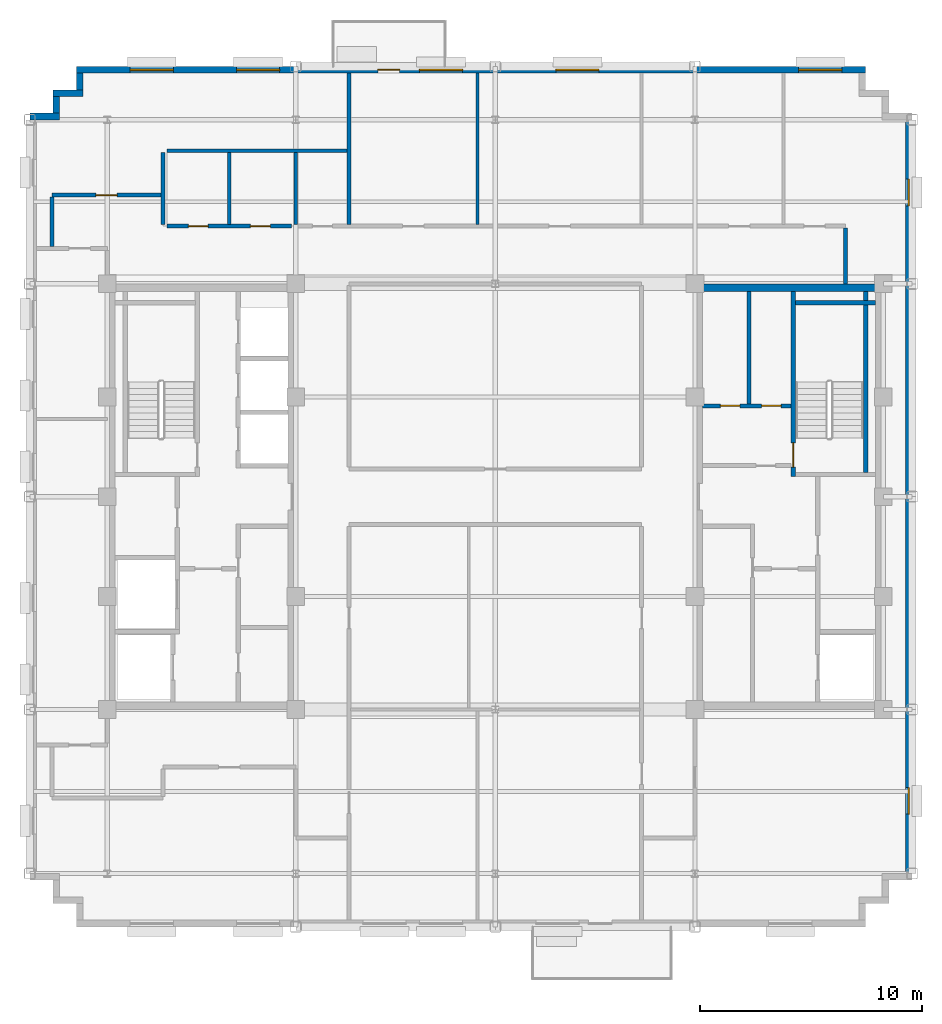
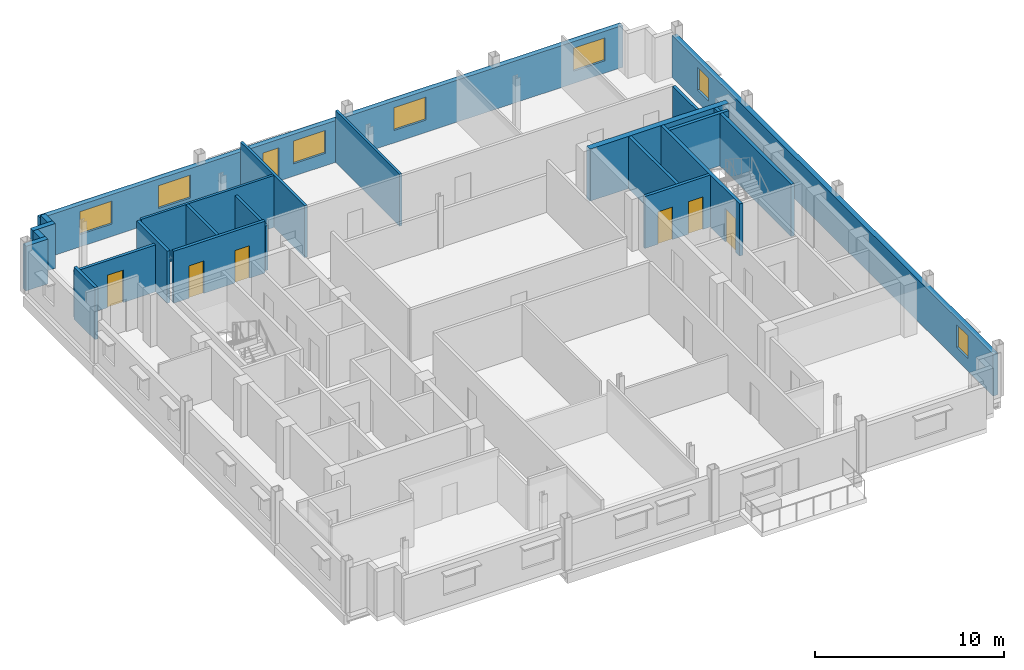
# One storey, part 8 of 13: 22 walls, 7 doors, 7 windows, 14 openings.
"""IFC4 building model written with IfcOpenShell, lengths in metres."""

from ifc_helpers import new_model, si_unit, direction, frame, frame_2d, origin, place, context, subcontext, project, spatial, rectangle, extrude, source, transform, mapped, material, layer, layer_set, type_object, type_shapes, element, fill, save


model = new_model("IFC4")

# Units and contexts
model_context = context("Model", 3, precision=1e-05, world=origin(), true_north=direction((0.0, 1.0)))
body_context = subcontext(model_context, "Body", "Model", "MODEL_VIEW")
ifc_project = project(units=[si_unit("LENGTHUNIT", "METRE"), si_unit("AREAUNIT", "SQUARE_METRE"), si_unit("VOLUMEUNIT", "CUBIC_METRE"), si_unit("PLANEANGLEUNIT", "RADIAN"), si_unit("MASSUNIT", "GRAM", prefix="KILO")], contexts=[model_context])

# Site, building, storey
site_placement = place(None, origin())
site = spatial("IfcSite", under=ifc_project, at=site_placement, CompositionType="ELEMENT")
building_placement = place(site_placement, origin())
building = spatial("IfcBuilding", under=site, at=building_placement, Name="Nuvemarco Arch Tower", CompositionType="ELEMENT")
storey_placement = place(building_placement, frame((0.0, 0.0, 261.60009765625)))
storey = spatial("IfcBuildingStorey", under=building, at=storey_placement, Name="L69", CompositionType="ELEMENT", Elevation=261.60009765625)

# Wall, openings, windows
ifc_material_1 = material(Name="Precast concrete C45/55", Category="concrete")
ifc_layer_1 = layer(ifc_material_1, 0.300048828125, Name="EW-HIGH-300")
ifc_layer_set_1 = layer_set([ifc_layer_1], Name="Precast concrete C45/55")
wall_type_1 = type_object("IfcWallType", Name="EW-HIGH-300", PredefinedType="STANDARD", material=ifc_layer_set_1)
wall_1_placement = place(storey_placement, frame((18.64990234375, -17.00390625, 0.0), z_axis=(0.0, 0.0, 1.0), x_axis=(0.0, 1.0, 0.0)))
wall_1 = element("IfcWall", 1, at=wall_1_placement, inside=storey, type_object=wall_type_1, Name="L69 exterior precast facade wall 6", PredefinedType="STANDARD", context=body_context, shape_type="SweptSolid", body=[
    extrude(rectangle(XDim=34.0078125, YDim=0.300048828125, at=frame_2d((17.00390625, 0.0))), origin(), (0.0, 0.0, 1.0), 2.704833984375),
])
opening_1_placement = place(wall_1_placement, frame((2.686279296875, 0.0, 0.800048828125)))
opening_1 = element("IfcOpeningElement", 2, at=opening_1_placement, cuts=wall_1, Name="Opening WN-8", PredefinedType="OPENING", context=body_context, shape_type="SweptSolid", body=[
    extrude(rectangle(XDim=1.199951171875, YDim=1.47998046875, at=frame_2d((0.60009765625, 0.739990234375))), frame((0.0, 0.159912109375, 0.0), z_axis=(0.0, -1.0, 0.0), x_axis=(1.0, 0.0, 0.0)), (0.0, 0.0, 1.0), 0.320068359375),
])
opening_2_placement = place(wall_1_placement, frame((30.12158203125, 0.0, 0.800048828125)))
opening_2 = element("IfcOpeningElement", 3, at=opening_2_placement, cuts=wall_1, Name="Opening WN-8", PredefinedType="OPENING", context=body_context, shape_type="SweptSolid", body=[
    extrude(rectangle(XDim=1.199951171875, YDim=1.47998046875, at=frame_2d((0.60009765625, 0.739990234375))), frame((0.0, 0.159912109375, 0.0), z_axis=(0.0, -1.0, 0.0), x_axis=(1.0, 0.0, 0.0)), (0.0, 0.0, 1.0), 0.320068359375),
])
ifc_material_2 = material(Name="Insulated solar-control glass", Category="glass")
window_type_1 = type_object("IfcWindowType", Name="WN-HIGH-1200x1480", PartitioningType="SINGLE_PANEL", PredefinedType="WINDOW", material=ifc_material_2)
shared_shape_1 = source(origin(), body_context, "Body", "SweptSolid", [
    extrude(rectangle(XDim=1.199951171875, YDim=1.47998046875, at=frame_2d((0.60009765625, 0.739990234375))), frame((0.0, 0.030029296875, 0.0), z_axis=(0.0, -1.0, 0.0), x_axis=(1.0, 0.0, 0.0)), (0.0, 0.0, 1.0), 0.06005859375),
])
type_shapes(window_type_1, [shared_shape_1])
window_1_placement = place(opening_1_placement, origin())
window_1 = element("IfcWindow", 4, at=window_1_placement, inside=storey, type_object=window_type_1, Name="L69 punched facade window 1", OverallHeight=1.47998046875, OverallWidth=1.199951171875, PartitioningType="SINGLE_PANEL", PredefinedType="WINDOW", context=body_context, shape_type="MappedRepresentation", body=[
    mapped(shared_shape_1, transform((0.0, 0.0, 0.0), scale=1.0)),
])
fill(opening_1, window_1)
window_2_placement = place(opening_2_placement, origin())
window_2 = element("IfcWindow", 5, at=window_2_placement, inside=storey, type_object=window_type_1, Name="L69 punched facade window 7", OverallHeight=1.47998046875, OverallWidth=1.199951171875, PartitioningType="SINGLE_PANEL", PredefinedType="WINDOW", context=body_context, shape_type="MappedRepresentation", body=[
    mapped(shared_shape_1, transform((0.0, 0.0, 0.0), scale=1.0)),
])
fill(opening_2, window_2)

# Wall, openings, door, windows
wall_2_placement = place(storey_placement, frame((-18.89990234375, 19.25, 0.0), z_axis=(0.0, 0.0, 1.0), x_axis=(1.0, 0.0, 0.0)))
wall_2 = element("IfcWall", 6, at=wall_2_placement, inside=storey, type_object=wall_type_1, Name="L69 exterior precast facade wall 11", PredefinedType="STANDARD", context=body_context, shape_type="SweptSolid", body=[
    extrude(rectangle(XDim=35.599853515625, YDim=0.300048828125, at=frame_2d((17.7998046875, 0.0))), origin(), (0.0, 0.0, 1.0), 2.704833984375),
])
opening_3_placement = place(wall_2_placement, frame((13.60009765625, 0.0, 0.0)))
opening_3 = element("IfcOpeningElement", 7, at=opening_3_placement, cuts=wall_2, Name="Opening ED-6", PredefinedType="OPENING", context=body_context, shape_type="SweptSolid", body=[
    extrude(rectangle(XDim=0.97998046875, YDim=2.14990234375, at=frame_2d((0.489990234375, 1.074951171875))), frame((0.0, 0.159912109375, 0.0), z_axis=(0.0, -1.0, 0.0), x_axis=(1.0, 0.0, 0.0)), (0.0, 0.0, 1.0), 0.320068359375),
])
opening_4_placement = place(wall_2_placement, frame((2.425048828125, 0.0, 0.800048828125)))
opening_4 = element("IfcOpeningElement", 8, at=opening_4_placement, cuts=wall_2, Name="Opening WN-7", PredefinedType="OPENING", context=body_context, shape_type="SweptSolid", body=[
    extrude(rectangle(XDim=1.949951171875, YDim=1.47998046875, at=frame_2d((0.97509765625, 0.739990234375))), frame((0.0, 0.159912109375, 0.0), z_axis=(0.0, -1.0, 0.0), x_axis=(1.0, 0.0, 0.0)), (0.0, 0.0, 1.0), 0.320068359375),
])
opening_5_placement = place(wall_2_placement, frame((7.22509765625, 0.0, 0.800048828125)))
opening_5 = element("IfcOpeningElement", 9, at=opening_5_placement, cuts=wall_2, Name="Opening WN-7", PredefinedType="OPENING", context=body_context, shape_type="SweptSolid", body=[
    extrude(rectangle(XDim=1.949951171875, YDim=1.47998046875, at=frame_2d((0.97509765625, 0.739990234375))), frame((0.0, 0.159912109375, 0.0), z_axis=(0.0, -1.0, 0.0), x_axis=(1.0, 0.0, 0.0)), (0.0, 0.0, 1.0), 0.320068359375),
])
opening_6_placement = place(wall_2_placement, frame((15.47509765625, 0.0, 0.800048828125)))
opening_6 = element("IfcOpeningElement", 10, at=opening_6_placement, cuts=wall_2, Name="Opening WN-7", PredefinedType="OPENING", context=body_context, shape_type="SweptSolid", body=[
    extrude(rectangle(XDim=1.949951171875, YDim=1.47998046875, at=frame_2d((0.97509765625, 0.739990234375))), frame((0.0, 0.159912109375, 0.0), z_axis=(0.0, -1.0, 0.0), x_axis=(1.0, 0.0, 0.0)), (0.0, 0.0, 1.0), 0.320068359375),
])
opening_7_placement = place(wall_2_placement, frame((21.625, 0.0, 0.800048828125)))
opening_7 = element("IfcOpeningElement", 11, at=opening_7_placement, cuts=wall_2, Name="Opening WN-7", PredefinedType="OPENING", context=body_context, shape_type="SweptSolid", body=[
    extrude(rectangle(XDim=1.949951171875, YDim=1.47998046875, at=frame_2d((0.97509765625, 0.739990234375))), frame((0.0, 0.159912109375, 0.0), z_axis=(0.0, -1.0, 0.0), x_axis=(1.0, 0.0, 0.0)), (0.0, 0.0, 1.0), 0.320068359375),
])
opening_8_placement = place(wall_2_placement, frame((32.574951171875, 0.0, 0.800048828125)))
opening_8 = element("IfcOpeningElement", 12, at=opening_8_placement, cuts=wall_2, Name="Opening WN-7", PredefinedType="OPENING", context=body_context, shape_type="SweptSolid", body=[
    extrude(rectangle(XDim=1.949951171875, YDim=1.47998046875, at=frame_2d((0.97509765625, 0.739990234375))), frame((0.0, 0.159912109375, 0.0), z_axis=(0.0, -1.0, 0.0), x_axis=(1.0, 0.0, 0.0)), (0.0, 0.0, 1.0), 0.320068359375),
])
ifc_material_3 = material(Name="Anodised bronze and laminated glass", Category="glass")
door_type_1 = type_object("IfcDoorType", Name="DR-EXT-BALC", OperationType="NOTDEFINED", PredefinedType="DOOR", material=ifc_material_3)
shared_shape_2 = source(origin(), body_context, "Body", "SweptSolid", [
    extrude(rectangle(XDim=0.97998046875, YDim=2.14990234375, at=frame_2d((0.489990234375, 1.074951171875))), frame((0.0, 0.02490234375, 0.0), z_axis=(0.0, -1.0, 0.0), x_axis=(1.0, 0.0, 0.0)), (0.0, 0.0, 1.0), 0.050048828125),
])
type_shapes(door_type_1, [shared_shape_2])
door_1_placement = place(opening_3_placement, origin())
door_1 = element("IfcDoor", 13, at=door_1_placement, inside=storey, type_object=door_type_1, Name="L69 tree balcony access door", OperationType="SINGLE_SWING_LEFT", OverallHeight=2.14990234375, OverallWidth=0.97998046875, PredefinedType="DOOR", context=body_context, shape_type="MappedRepresentation", body=[
    mapped(shared_shape_2, transform((0.0, 0.0, 0.0), scale=1.0)),
])
fill(opening_3, door_1)
window_type_2 = type_object("IfcWindowType", Name="WN-HIGH-1950x1480", PartitioningType="DOUBLE_PANEL_VERTICAL", PredefinedType="WINDOW", material=ifc_material_2)
shared_shape_3 = source(origin(), body_context, "Body", "SweptSolid", [
    extrude(rectangle(XDim=1.949951171875, YDim=1.47998046875, at=frame_2d((0.97509765625, 0.739990234375))), frame((0.0, 0.030029296875, 0.0), z_axis=(0.0, -1.0, 0.0), x_axis=(1.0, 0.0, 0.0)), (0.0, 0.0, 1.0), 0.06005859375),
])
type_shapes(window_type_2, [shared_shape_3])
window_3_placement = place(opening_4_placement, origin())
window_3 = element("IfcWindow", 14, at=window_3_placement, inside=storey, type_object=window_type_2, Name="L69 punched facade window 1", OverallHeight=1.47998046875, OverallWidth=1.949951171875, PartitioningType="SINGLE_PANEL", PredefinedType="WINDOW", context=body_context, shape_type="MappedRepresentation", body=[
    mapped(shared_shape_3, transform((0.0, 0.0, 0.0), scale=1.0)),
])
fill(opening_4, window_3)
window_4_placement = place(opening_5_placement, origin())
window_4 = element("IfcWindow", 15, at=window_4_placement, inside=storey, type_object=window_type_2, Name="L69 punched facade window 2", OverallHeight=1.47998046875, OverallWidth=1.949951171875, PartitioningType="SINGLE_PANEL", PredefinedType="WINDOW", context=body_context, shape_type="MappedRepresentation", body=[
    mapped(shared_shape_3, transform((0.0, 0.0, 0.0), scale=1.0)),
])
fill(opening_5, window_4)
window_5_placement = place(opening_6_placement, origin())
window_5 = element("IfcWindow", 16, at=window_5_placement, inside=storey, type_object=window_type_2, Name="L69 punched facade window 4", OverallHeight=1.47998046875, OverallWidth=1.949951171875, PartitioningType="SINGLE_PANEL", PredefinedType="WINDOW", context=body_context, shape_type="MappedRepresentation", body=[
    mapped(shared_shape_3, transform((0.0, 0.0, 0.0), scale=1.0)),
])
fill(opening_6, window_5)
window_6_placement = place(opening_7_placement, origin())
window_6 = element("IfcWindow", 17, at=window_6_placement, inside=storey, type_object=window_type_2, Name="L69 punched facade window 5", OverallHeight=1.47998046875, OverallWidth=1.949951171875, PartitioningType="SINGLE_PANEL", PredefinedType="WINDOW", context=body_context, shape_type="MappedRepresentation", body=[
    mapped(shared_shape_3, transform((0.0, 0.0, 0.0), scale=1.0)),
])
fill(opening_7, window_6)
window_7_placement = place(opening_8_placement, origin())
window_7 = element("IfcWindow", 18, at=window_7_placement, inside=storey, type_object=window_type_2, Name="L69 punched facade window 7", OverallHeight=1.47998046875, OverallWidth=1.949951171875, PartitioningType="SINGLE_PANEL", PredefinedType="WINDOW", context=body_context, shape_type="MappedRepresentation", body=[
    mapped(shared_shape_3, transform((0.0, 0.0, 0.0), scale=1.0)),
])
fill(opening_8, window_7)

# Walls
wall_3_placement = place(storey_placement, frame((-18.75, 18.345947265625, 0.0), z_axis=(0.0, 0.0, 1.0), x_axis=(0.0, 1.0, 0.0)))
element("IfcWall", 19, at=wall_3_placement, inside=storey, type_object=wall_type_1, Name="L69 exterior precast facade wall 12", PredefinedType="STANDARD", context=body_context, shape_type="SweptSolid", body=[
    extrude(rectangle(XDim=0.758056640625, YDim=0.300048828125, at=frame_2d((0.37890625, 0.0))), origin(), (0.0, 0.0, 1.0), 2.891845703125),
])
wall_4_placement = place(storey_placement, frame((-19.949951171875, 18.199951171875, 0.0), z_axis=(0.0, 0.0, 1.0), x_axis=(1.0, 0.0, 0.0)))
element("IfcWall", 20, at=wall_4_placement, inside=storey, type_object=wall_type_1, Name="L69 exterior precast facade wall 13", PredefinedType="STANDARD", context=body_context, shape_type="SweptSolid", body=[
    extrude(rectangle(XDim=1.349853515625, YDim=0.300048828125, at=frame_2d((0.6748046875, 0.0))), origin(), (0.0, 0.0, 1.0), 2.891845703125),
])
wall_5_placement = place(storey_placement, frame((-19.800048828125, 17.2958984375, 0.0), z_axis=(0.0, 0.0, 1.0), x_axis=(0.0, 1.0, 0.0)))
element("IfcWall", 21, at=wall_5_placement, inside=storey, type_object=wall_type_1, Name="L69 exterior precast facade wall 14", PredefinedType="STANDARD", context=body_context, shape_type="SweptSolid", body=[
    extrude(rectangle(XDim=0.758056640625, YDim=0.300048828125, at=frame_2d((0.37890625, 0.0))), origin(), (0.0, 0.0, 1.0), 2.891845703125),
])
wall_6_placement = place(storey_placement, frame((-21.0, 17.14990234375, 0.0), z_axis=(0.0, 0.0, 1.0), x_axis=(1.0, 0.0, 0.0)))
element("IfcWall", 22, at=wall_6_placement, inside=storey, type_object=wall_type_1, Name="L69 exterior precast facade wall 15", PredefinedType="STANDARD", context=body_context, shape_type="SweptSolid", body=[
    extrude(rectangle(XDim=1.35009765625, YDim=0.300048828125, at=frame_2d((0.675048828125, 0.0))), origin(), (0.0, 0.0, 1.0), 2.891845703125),
])
ifc_material_4 = material(Name="Concrete C50/60", Category="concrete")
ifc_layer_2 = layer(ifc_material_4, 0.35009765625, Name="WL-CORE-350")
ifc_layer_set_2 = layer_set([ifc_layer_2], Name="Concrete C50/60")
wall_type_2 = type_object("IfcWallType", Name="WL-CORE-350", PredefinedType="SHEAR", material=ifc_layer_set_2)
wall_7_placement = place(storey_placement, frame((9.0, 9.425048828125, 0.0), z_axis=(0.0, 0.0, 1.0), x_axis=(1.0, 0.0, 0.0)))
element("IfcWall", 23, at=wall_7_placement, inside=storey, type_object=wall_type_2, Name="L69 E-core shear wall N", PredefinedType="SHEAR", context=body_context, shape_type="SweptSolid", body=[
    extrude(rectangle(XDim=8.5, YDim=0.35009765625, at=frame_2d((4.25, 0.0))), origin(), (0.0, 0.0, 1.0), 3.369873046875),
])

# Wall, openings, doors
ifc_material_5 = material(Name="Fire-rated gypsum drywall partition")
ifc_layer_3 = layer(ifc_material_5, 0.179931640625, Name="WL-CORR-180")
ifc_layer_set_3 = layer_set([ifc_layer_3], Name="Fire-rated gypsum drywall partition")
wall_type_3 = type_object("IfcWallType", Name="WL-CORR-180", PredefinedType="PARTITIONING", material=ifc_layer_set_3)
wall_8_placement = place(storey_placement, frame((9.344970703125, 4.10009765625, 0.0), z_axis=(0.0, 0.0, 1.0), x_axis=(1.0, 0.0, 0.0)))
wall_8 = element("IfcWall", 24, at=wall_8_placement, inside=storey, type_object=wall_type_3, Name="L69 interior wall IW-L69-EK3H", PredefinedType="PARTITIONING", context=body_context, shape_type="SweptSolid", body=[
    extrude(rectangle(XDim=4.0, YDim=0.179931640625, at=frame_2d((2.0, 0.0))), origin(), (0.0, 0.0, 1.0), 3.35986328125),
])
opening_9_placement = place(wall_8_placement, frame((0.800048828125, 0.0, 0.0)))
opening_9 = element("IfcOpeningElement", 25, at=opening_9_placement, cuts=wall_8, Name="Opening FD-4", PredefinedType="OPENING", context=body_context, shape_type="SweptSolid", body=[
    extrude(rectangle(XDim=0.8798828125, YDim=2.10009765625, at=frame_2d((0.43994140625, 1.050048828125))), frame((0.0, 0.099853515625, 0.0), z_axis=(0.0, -1.0, 0.0), x_axis=(1.0, 0.0, 0.0)), (0.0, 0.0, 1.0), 0.199951171875),
])
opening_10_placement = place(wall_8_placement, frame((2.6650390625, 0.0, 0.0)))
opening_10 = element("IfcOpeningElement", 26, at=opening_10_placement, cuts=wall_8, Name="Opening FD-4", PredefinedType="OPENING", context=body_context, shape_type="SweptSolid", body=[
    extrude(rectangle(XDim=0.8798828125, YDim=2.10009765625, at=frame_2d((0.43994140625, 1.050048828125))), frame((0.0, 0.099853515625, 0.0), z_axis=(0.0, -1.0, 0.0), x_axis=(1.0, 0.0, 0.0)), (0.0, 0.0, 1.0), 0.199951171875),
])
ifc_material_6 = material(Name="Anodised steel fire door", Category="steel")
door_type_2 = type_object("IfcDoorType", Name="DR-RISER-FD", OperationType="NOTDEFINED", PredefinedType="DOOR", material=ifc_material_6)
shared_shape_4 = source(origin(), body_context, "Body", "SweptSolid", [
    extrude(rectangle(XDim=0.8798828125, YDim=2.10009765625, at=frame_2d((0.43994140625, 1.050048828125))), frame((0.0, 0.02490234375, 0.0), z_axis=(0.0, -1.0, 0.0), x_axis=(1.0, 0.0, 0.0)), (0.0, 0.0, 1.0), 0.050048828125),
])
type_shapes(door_type_2, [shared_shape_4])
door_2_placement = place(opening_9_placement, origin())
door_2 = element("IfcDoor", 27, at=door_2_placement, inside=storey, type_object=door_type_2, Name="L69 door FD-L69-EK3B", OperationType="SINGLE_SWING_RIGHT", OverallHeight=2.10009765625, OverallWidth=0.8798828125, PredefinedType="DOOR", context=body_context, shape_type="MappedRepresentation", body=[
    mapped(shared_shape_4, transform((0.0, 0.0, 0.0), scale=1.0)),
])
fill(opening_9, door_2)
door_3_placement = place(opening_10_placement, origin())
door_3 = element("IfcDoor", 28, at=door_3_placement, inside=storey, type_object=door_type_2, Name="L69 door FD-L69-EK3C", OperationType="SINGLE_SWING_LEFT", OverallHeight=2.10009765625, OverallWidth=0.8798828125, PredefinedType="DOOR", context=body_context, shape_type="MappedRepresentation", body=[
    mapped(shared_shape_4, transform((0.0, 0.0, 0.0), scale=1.0)),
])
fill(opening_10, door_3)

# Wall
wall_9_placement = place(storey_placement, frame((11.449951171875, 4.18994140625, 0.0), z_axis=(0.0, 0.0, 1.0), x_axis=(0.0, 1.0, 0.0)))
element("IfcWall", 29, at=wall_9_placement, inside=storey, type_object=wall_type_3, Name="L69 interior wall IW-L69-EK3V", PredefinedType="PARTITIONING", context=body_context, shape_type="SweptSolid", body=[
    extrude(rectangle(XDim=5.06494140625, YDim=0.179931640625, at=frame_2d((2.532470703125, 0.0))), origin(), (0.0, 0.0, 1.0), 3.35986328125),
])

# Wall, openings, doors
wall_10_placement = place(storey_placement, frame((-14.800048828125, 12.199951171875, 0.0), z_axis=(0.0, 0.0, 1.0), x_axis=(1.0, 0.0, 0.0)))
wall_10 = element("IfcWall", 30, at=wall_10_placement, inside=storey, type_object=wall_type_3, Name="L69 interior wall IW-L69-014", PredefinedType="PARTITIONING", context=body_context, shape_type="SweptSolid", body=[
    extrude(rectangle(XDim=5.60009765625, YDim=0.179931640625, at=frame_2d((2.800048828125, 0.0))), origin(), (0.0, 0.0, 1.0), 3.35986328125),
])
opening_11_placement = place(wall_10_placement, frame((0.949951171875, 0.0, 0.0)))
opening_11 = element("IfcOpeningElement", 31, at=opening_11_placement, cuts=wall_10, Name="Opening ID-3", PredefinedType="OPENING", context=body_context, shape_type="SweptSolid", body=[
    extrude(rectangle(XDim=0.89990234375, YDim=2.10009765625, at=frame_2d((0.449951171875, 1.050048828125))), frame((0.0, 0.099853515625, 0.0), z_axis=(0.0, -1.0, 0.0), x_axis=(1.0, 0.0, 0.0)), (0.0, 0.0, 1.0), 0.199951171875),
])
opening_12_placement = place(wall_10_placement, frame((3.75, 0.0, 0.0)))
opening_12 = element("IfcOpeningElement", 32, at=opening_12_placement, cuts=wall_10, Name="Opening ID-3", PredefinedType="OPENING", context=body_context, shape_type="SweptSolid", body=[
    extrude(rectangle(XDim=0.89990234375, YDim=2.10009765625, at=frame_2d((0.449951171875, 1.050048828125))), frame((0.0, 0.099853515625, 0.0), z_axis=(0.0, -1.0, 0.0), x_axis=(1.0, 0.0, 0.0)), (0.0, 0.0, 1.0), 0.199951171875),
])
ifc_material_7 = material(Name="Veneered oak timber fire door", Category="wood")
door_type_3 = type_object("IfcDoorType", Name="DR-WC-ACC", OperationType="NOTDEFINED", PredefinedType="DOOR", material=ifc_material_7)
shared_shape_5 = source(origin(), body_context, "Body", "SweptSolid", [
    extrude(rectangle(XDim=0.89990234375, YDim=2.10009765625, at=frame_2d((0.449951171875, 1.050048828125))), frame((0.0, 0.02490234375, 0.0), z_axis=(0.0, -1.0, 0.0), x_axis=(1.0, 0.0, 0.0)), (0.0, 0.0, 1.0), 0.050048828125),
])
type_shapes(door_type_3, [shared_shape_5])
door_4_placement = place(opening_11_placement, origin())
door_4 = element("IfcDoor", 33, at=door_4_placement, inside=storey, type_object=door_type_3, Name="L69 door DR-L69-WC_M", OperationType="SINGLE_SWING_LEFT", OverallHeight=2.10009765625, OverallWidth=0.89990234375, PredefinedType="DOOR", context=body_context, shape_type="MappedRepresentation", body=[
    mapped(shared_shape_5, transform((0.0, 0.0, 0.0), scale=1.0)),
])
fill(opening_11, door_4)
door_5_placement = place(opening_12_placement, origin())
door_5 = element("IfcDoor", 34, at=door_5_placement, inside=storey, type_object=door_type_3, Name="L69 door DR-L69-WC_F", OperationType="SINGLE_SWING_RIGHT", OverallHeight=2.10009765625, OverallWidth=0.89990234375, PredefinedType="DOOR", context=body_context, shape_type="MappedRepresentation", body=[
    mapped(shared_shape_5, transform((0.0, 0.0, 0.0), scale=1.0)),
])
fill(opening_12, door_5)

# Wall, opening, door
wall_11_placement = place(storey_placement, frame((-20.0, 13.60009765625, 0.0), z_axis=(0.0, 0.0, 1.0), x_axis=(1.0, 0.0, 0.0)))
wall_11 = element("IfcWall", 35, at=wall_11_placement, inside=storey, type_object=wall_type_3, Name="L69 interior wall IW-L69-016", PredefinedType="PARTITIONING", context=body_context, shape_type="SweptSolid", body=[
    extrude(rectangle(XDim=4.9140625, YDim=0.179931640625, at=frame_2d((2.45703125, 0.0))), origin(), (0.0, 0.0, 1.0), 3.037841796875),
])
opening_13_placement = place(wall_11_placement, frame((1.97705078125, 0.0, 0.0)))
opening_13 = element("IfcOpeningElement", 36, at=opening_13_placement, cuts=wall_11, Name="Opening FD-5", PredefinedType="OPENING", context=body_context, shape_type="SweptSolid", body=[
    extrude(rectangle(XDim=0.9599609375, YDim=2.10009765625, at=frame_2d((0.47998046875, 1.050048828125))), frame((0.0, 0.099853515625, 0.0), z_axis=(0.0, -1.0, 0.0), x_axis=(1.0, 0.0, 0.0)), (0.0, 0.0, 1.0), 0.199951171875),
])
ifc_material_8 = material(Name="Timber fire door", Category="wood")
door_type_4 = type_object("IfcDoorType", Name="DR-CORR-FD", OperationType="NOTDEFINED", PredefinedType="DOOR", material=ifc_material_8)
shared_shape_6 = source(origin(), body_context, "Body", "SweptSolid", [
    extrude(rectangle(XDim=0.9599609375, YDim=2.10009765625, at=frame_2d((0.47998046875, 1.050048828125))), frame((0.0, 0.02490234375, 0.0), z_axis=(0.0, -1.0, 0.0), x_axis=(1.0, 0.0, 0.0)), (0.0, 0.0, 1.0), 0.050048828125),
])
type_shapes(door_type_4, [shared_shape_6])
door_6_placement = place(opening_13_placement, origin())
door_6 = element("IfcDoor", 37, at=door_6_placement, inside=storey, type_object=door_type_4, Name="L69 door DR-L69-N_1", OperationType="SINGLE_SWING_RIGHT", OverallHeight=2.10009765625, OverallWidth=0.9599609375, PredefinedType="DOOR", context=body_context, shape_type="MappedRepresentation", body=[
    mapped(shared_shape_6, transform((0.0, 0.0, 0.0), scale=1.0)),
])
fill(opening_13, door_6)

# Walls
wall_12_placement = place(storey_placement, frame((-20.0, 11.285888671875, 0.0), z_axis=(0.0, 0.0, 1.0), x_axis=(0.0, 1.0, 0.0)))
element("IfcWall", 38, at=wall_12_placement, inside=storey, type_object=wall_type_3, Name="L69 interior wall IW-L69-019", PredefinedType="PARTITIONING", context=body_context, shape_type="SweptSolid", body=[
    extrude(rectangle(XDim=2.22802734375, YDim=0.179931640625, at=frame_2d((1.114013671875, 0.0))), origin(), (0.0, 0.0, 1.0), 3.35986328125),
])
wall_13_placement = place(storey_placement, frame((-15.0, 12.285888671875, 0.0), z_axis=(0.0, 0.0, 1.0), x_axis=(0.0, 1.0, 0.0)))
element("IfcWall", 39, at=wall_13_placement, inside=storey, type_object=wall_type_3, Name="L69 interior wall IW-L69-023", PredefinedType="PARTITIONING", context=body_context, shape_type="SweptSolid", body=[
    extrude(rectangle(XDim=3.2431640625, YDim=0.179931640625, at=frame_2d((1.62158203125, 0.0))), origin(), (0.0, 0.0, 1.0), 3.35986328125),
])
wall_14_placement = place(storey_placement, frame((15.800048828125, 9.60009765625, 0.0), z_axis=(0.0, 0.0, 1.0), x_axis=(0.0, 1.0, 0.0)))
element("IfcWall", 40, at=wall_14_placement, inside=storey, type_object=wall_type_3, Name="L69 interior wall IW-L69-038", PredefinedType="PARTITIONING", context=body_context, shape_type="SweptSolid", body=[
    extrude(rectangle(XDim=2.513916015625, YDim=0.179931640625, at=frame_2d((1.2568359375, 0.0))), origin(), (0.0, 0.0, 1.0), 3.35986328125),
])
ifc_material_9 = material(Name="Gypsum plasterboard partition")
ifc_layer_4 = layer(ifc_material_9, 0.139892578125, Name="WL-ROOM-140")
ifc_layer_set_4 = layer_set([ifc_layer_4], Name="Gypsum plasterboard partition")
wall_type_4 = type_object("IfcWallType", Name="WL-ROOM-140", PredefinedType="PARTITIONING", material=ifc_layer_set_4)
wall_15_placement = place(storey_placement, frame((-0.800048828125, 12.285888671875, 0.0), z_axis=(0.0, 0.0, 1.0), x_axis=(0.0, 1.0, 0.0)))
element("IfcWall", 41, at=wall_15_placement, inside=storey, type_object=wall_type_4, Name="L69 interior wall IW-L69-032", PredefinedType="PARTITIONING", context=body_context, shape_type="SweptSolid", body=[
    extrude(rectangle(XDim=6.814208984375, YDim=0.139892578125, at=frame_2d((3.4072265625, 0.0))), origin(), (0.0, 0.0, 1.0), 3.35986328125),
])

# Wall, opening, door
ifc_layer_5 = layer(ifc_material_4, 0.199951171875, Name="WL-SHAFT-220")
ifc_layer_set_5 = layer_set([ifc_layer_5], Name="Concrete C50/60")
wall_type_5 = type_object("IfcWallType", Name="WL-SHAFT-220", PredefinedType="SHEAR", material=ifc_layer_set_5)
wall_16_placement = place(storey_placement, frame((13.43994140625, 0.89990234375, 0.0), z_axis=(0.0, 0.0, 1.0), x_axis=(0.0, 1.0, 0.0)))
wall_16 = element("IfcWall", 42, at=wall_16_placement, inside=storey, type_object=wall_type_5, Name="L69 structural shaft wall SW-L69-E-ST2W", PredefinedType="SHEAR", context=body_context, shape_type="SweptSolid", body=[
    extrude(rectangle(XDim=8.35498046875, YDim=0.199951171875, at=frame_2d((4.177490234375, 0.0))), origin(), (0.0, 0.0, 1.0), 3.369873046875),
])
opening_14_placement = place(wall_16_placement, frame((0.429931640625, 0.0, 0.0)))
opening_14 = element("IfcOpeningElement", 43, at=opening_14_placement, cuts=wall_16, Name="Opening FD-1", PredefinedType="OPENING", context=body_context, shape_type="SweptSolid", body=[
    extrude(rectangle(XDim=1.10009765625, YDim=2.14990234375, at=frame_2d((0.550048828125, 1.074951171875))), frame((0.0, 0.10986328125, 0.0), z_axis=(0.0, -1.0, 0.0), x_axis=(1.0, 0.0, 0.0)), (0.0, 0.0, 1.0), 0.219970703125),
])
door_type_5 = type_object("IfcDoorType", Name="DR-STAIR-FD", OperationType="NOTDEFINED", PredefinedType="DOOR", material=ifc_material_6)
shared_shape_7 = source(origin(), body_context, "Body", "SweptSolid", [
    extrude(rectangle(XDim=1.10009765625, YDim=2.14990234375, at=frame_2d((0.550048828125, 1.074951171875))), frame((0.0, 0.02490234375, 0.0), z_axis=(0.0, -1.0, 0.0), x_axis=(1.0, 0.0, 0.0)), (0.0, 0.0, 1.0), 0.050048828125),
])
type_shapes(door_type_5, [shared_shape_7])
door_7_placement = place(opening_14_placement, origin())
door_7 = element("IfcDoor", 44, at=door_7_placement, inside=storey, type_object=door_type_5, Name="L69 door FD-L69-ST2", OperationType="SINGLE_SWING_LEFT", OverallHeight=2.14990234375, OverallWidth=1.10009765625, PredefinedType="DOOR", context=body_context, shape_type="MappedRepresentation", body=[
    mapped(shared_shape_7, transform((0.0, 0.0, 0.0), scale=1.0)),
])
fill(opening_14, door_7)

# Walls
wall_17_placement = place(storey_placement, frame((13.534912109375, 8.75, 0.0), z_axis=(0.0, 0.0, 1.0), x_axis=(1.0, 0.0, 0.0)))
element("IfcWall", 45, at=wall_17_placement, inside=storey, type_object=wall_type_5, Name="L69 structural shaft wall SW-L69-E-ST2N", PredefinedType="SHEAR", context=body_context, shape_type="SweptSolid", body=[
    extrude(rectangle(XDim=3.6201171875, YDim=0.199951171875, at=frame_2d((1.81005859375, 0.0))), origin(), (0.0, 0.0, 1.0), 3.369873046875),
])
wall_18_placement = place(storey_placement, frame((16.699951171875, 1.094970703125, 0.0), z_axis=(0.0, 0.0, 1.0), x_axis=(0.0, 1.0, 0.0)))
element("IfcWall", 46, at=wall_18_placement, inside=storey, type_object=wall_type_5, Name="L69 structural shaft wall SW-L69-E-ST2E", PredefinedType="SHEAR", context=body_context, shape_type="SweptSolid", body=[
    extrude(rectangle(XDim=8.159912109375, YDim=0.199951171875, at=frame_2d((4.080078125, 0.0))), origin(), (0.0, 0.0, 1.0), 3.369873046875),
])
ifc_material_10 = material(Name="Acoustic gypsum drywall partition")
ifc_layer_6 = layer(ifc_material_10, 0.159912109375, Name="WL-TENANT-160")
ifc_layer_set_6 = layer_set([ifc_layer_6], Name="Acoustic gypsum drywall partition")
wall_type_6 = type_object("IfcWallType", Name="WL-TENANT-160", PredefinedType="PARTITIONING", material=ifc_layer_set_6)
wall_19_placement = place(storey_placement, frame((-6.60009765625, 12.285888671875, 0.0), z_axis=(0.0, 0.0, 1.0), x_axis=(0.0, 1.0, 0.0)))
element("IfcWall", 47, at=wall_19_placement, inside=storey, type_object=wall_type_6, Name="L69 interior wall IW-L69-029", PredefinedType="PARTITIONING", context=body_context, shape_type="SweptSolid", body=[
    extrude(rectangle(XDim=6.814208984375, YDim=0.159912109375, at=frame_2d((3.4072265625, 0.0))), origin(), (0.0, 0.0, 1.0), 3.35986328125),
])
ifc_material_11 = material(Name="Moisture-resistant gypsum partition")
ifc_layer_7 = layer(ifc_material_11, 0.14990234375, Name="WL-WET-150")
ifc_layer_set_7 = layer_set([ifc_layer_7], Name="Moisture-resistant gypsum partition")
wall_type_7 = type_object("IfcWallType", Name="WL-WET-150", PredefinedType="PARTITIONING", material=ifc_layer_set_7)
wall_20_placement = place(storey_placement, frame((-14.800048828125, 15.60009765625, 0.0), z_axis=(0.0, 0.0, 1.0), x_axis=(1.0, 0.0, 0.0)))
element("IfcWall", 48, at=wall_20_placement, inside=storey, type_object=wall_type_7, Name="L69 interior wall IW-L69-017", PredefinedType="PARTITIONING", context=body_context, shape_type="SweptSolid", body=[
    extrude(rectangle(XDim=8.129150390625, YDim=0.14990234375, at=frame_2d((4.064453125, 0.0))), origin(), (0.0, 0.0, 1.0), 3.35986328125),
])
wall_21_placement = place(storey_placement, frame((-12.0, 12.285888671875, 0.0), z_axis=(0.0, 0.0, 1.0), x_axis=(0.0, 1.0, 0.0)))
element("IfcWall", 49, at=wall_21_placement, inside=storey, type_object=wall_type_7, Name="L69 interior wall IW-L69-024", PredefinedType="PARTITIONING", context=body_context, shape_type="SweptSolid", body=[
    extrude(rectangle(XDim=3.2431640625, YDim=0.14990234375, at=frame_2d((1.62158203125, 0.0))), origin(), (0.0, 0.0, 1.0), 3.35986328125),
])
wall_22_placement = place(storey_placement, frame((-9.0, 12.285888671875, 0.0), z_axis=(0.0, 0.0, 1.0), x_axis=(0.0, 1.0, 0.0)))
element("IfcWall", 50, at=wall_22_placement, inside=storey, type_object=wall_type_7, Name="L69 interior wall IW-L69-026", PredefinedType="PARTITIONING", context=body_context, shape_type="SweptSolid", body=[
    extrude(rectangle(XDim=3.2431640625, YDim=0.14990234375, at=frame_2d((1.62158203125, 0.0))), origin(), (0.0, 0.0, 1.0), 2.891845703125),
])

save(model, "model.ifc")
